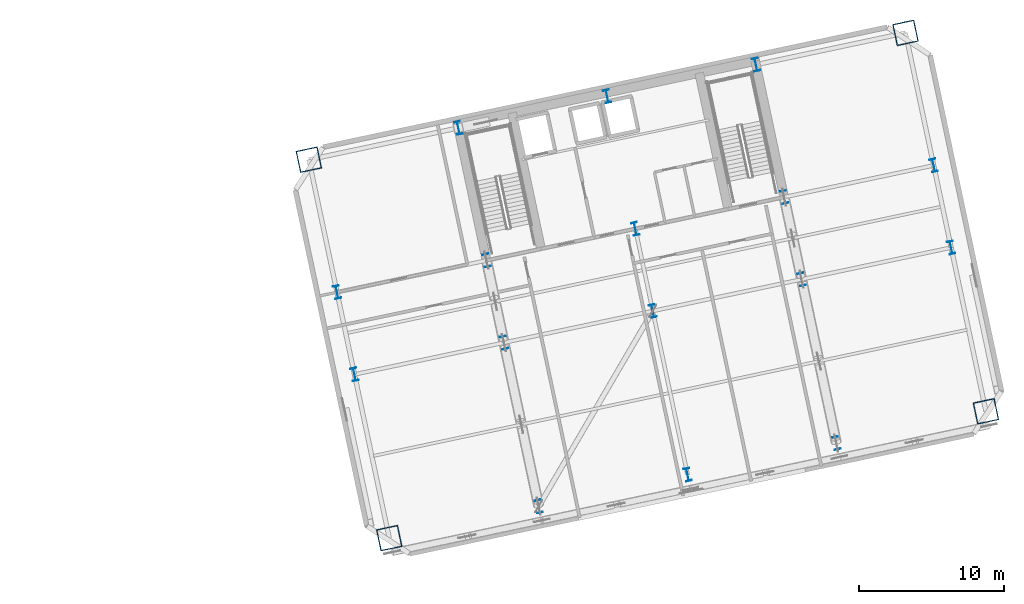
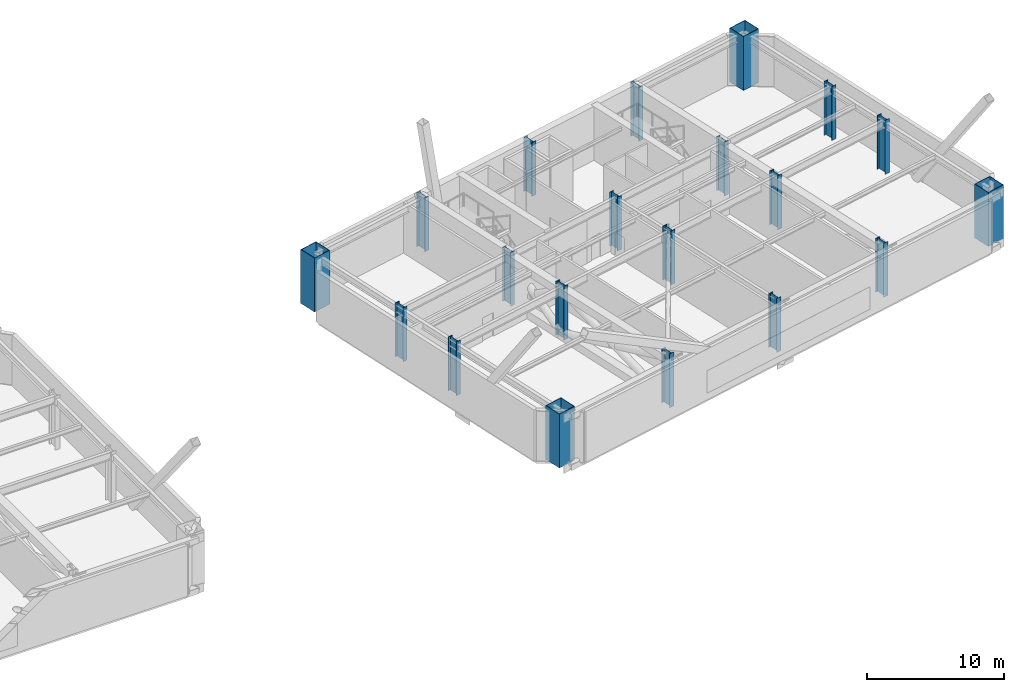
# One storey, part 2 of 17: 20 columns.
"""IFC4 building model written with IfcOpenShell, lengths in metres."""

from ifc_helpers import new_model, si_unit, direction, frame, origin, origin_2d, place, context, subcontext, project, spatial, hollow_rectangle, i_section, extrude, material, material_profile, profile_set, type_object, element, save


model = new_model("IFC4")

# Units and contexts
model_context = context("Model", 3, precision=1e-05, world=origin(), true_north=direction((0.0, 1.0)))
body_context = subcontext(model_context, "Body", "Model", "MODEL_VIEW")
ifc_project = project(units=[si_unit("LENGTHUNIT", "METRE"), si_unit("AREAUNIT", "SQUARE_METRE"), si_unit("VOLUMEUNIT", "CUBIC_METRE"), si_unit("PLANEANGLEUNIT", "RADIAN"), si_unit("MASSUNIT", "GRAM", prefix="KILO")], contexts=[model_context])

# Site, building, storey
site_placement = place(None, origin())
site = spatial("IfcSite", under=ifc_project, at=site_placement, CompositionType="ELEMENT")
building_placement = place(site_placement, origin())
building = spatial("IfcBuilding", under=site, at=building_placement, Name="Haevon Station Towers", CompositionType="ELEMENT")
storey_placement = place(building_placement, frame((0.0, 0.0, 81.89990234375)))
storey = spatial("IfcBuildingStorey", under=building, at=storey_placement, Name="L21", CompositionType="ELEMENT", Elevation=81.89990234375)

# Columns
ifc_material = material(Name="Steel S460", Category="steel")
ifc_material_profile_1 = material_profile(ifc_material, hollow_rectangle(XDim=1.5, YDim=1.5, WallThickness=0.0400390625, at=origin_2d()), Name="BOX-1500x1500x40")
ifc_profile_set_1 = profile_set([ifc_material_profile_1], Name="Steel S460")
column_type_1 = type_object("IfcColumnType", Name="COL-MC2", PredefinedType="COLUMN", material=ifc_profile_set_1)
for number, where, z_axis, x_axis, name in (
    (1, (92.040283203125, 18.278076171875, 0.0), (0.0, 0.0, 1.0), (0.978147600734, 0.207911690818, 0.0), "COL-T2-L21-01-01"),
    (2, (86.489013671875, 44.39453125, 0.0), (0.0, 0.0, 1.0), (0.978147600734, 0.207911690818, 0.0), "COL-T2-L21-01-04"),
    (3, (133.22021484375, 27.03125, 0.0), (0.0, 0.0, 1.0), (0.978147600734, 0.207911690818, 0.0), "COL-T2-L21-05-01"),
    (4, (127.6689453125, 53.147705078125, 0.0), (0.0, 0.0, 1.0), (0.978147600734, 0.207911690818, 0.0), "COL-T2-L21-05-04"),
):
    element("IfcColumn", number, at=place(storey_placement, frame(where, z_axis=z_axis, x_axis=x_axis)), inside=storey, type_object=column_type_1, Name=name, PredefinedType="COLUMN", context=body_context, shape_type="SweptSolid", body=[
        extrude(hollow_rectangle(XDim=1.5, YDim=1.5, WallThickness=0.0400390625, at=origin_2d()), origin(), (0.0, 0.0, 1.0), 4.800048828125),
    ])
ifc_material_profile_2 = material_profile(ifc_material, i_section(OverallWidth=0.39990234375, OverallDepth=0.89990234375, WebThickness=0.02001953125, FlangeThickness=0.035888671875, at=origin_2d()), Name="H-900x400x20x36")
ifc_profile_set_2 = profile_set([ifc_material_profile_2], Name="Steel S460")
column_type_2 = type_object("IfcColumnType", Name="COL-TW1", PredefinedType="COLUMN", material=ifc_profile_set_2)
for number, where, z_axis, x_axis, name in (
    (5, (89.638671875, 29.57568359375, 0.0), (0.0, 0.0, 1.0), (0.978147600734, 0.207911690818, 0.0), "COL-T2-L21-01-02"),
    (6, (88.432861328125, 35.2490234375, 0.0), (0.0, 0.0, 1.0), (0.978147600734, 0.207911690818, 0.0), "COL-T2-L21-01-03"),
    (7, (102.359619140625, 20.471435546875, 0.0), (0.0, 0.0, 1.0), (0.978147600734, 0.207911690818, 0.0), "COL-T2-L21-02-01"),
    (8, (99.958251953125, 31.76904296875, 0.0), (0.0, 0.0, 1.0), (0.978147600734, 0.207911690818, 0.0), "COL-T2-L21-02-02"),
    (9, (98.75244140625, 37.4423828125, 0.0), (0.0, 0.0, 1.0), (0.978147600734, 0.207911690818, 0.0), "COL-T2-L21-02-03"),
    (10, (96.808349609375, 46.588134765625, 0.0), (0.0, 0.0, 1.0), (0.978147600734, 0.207911690818, 0.0), "COL-T2-L21-02-04"),
    (11, (112.630126953125, 22.654541015625, 0.0), (0.0, 0.0, 1.0), (0.978147600734, 0.207911690818, 0.0), "COL-T2-L21-03-01"),
    (12, (110.228759765625, 33.9521484375, 0.0), (0.0, 0.0, 1.0), (0.978147600734, 0.207911690818, 0.0), "COL-T2-L21-03-02"),
    (13, (109.02294921875, 39.62548828125, 0.0), (0.0, 0.0, 1.0), (0.978147600734, 0.207911690818, 0.0), "COL-T2-L21-03-03"),
    (14, (107.078857421875, 48.771240234375, 0.0), (0.0, 0.0, 1.0), (0.978147600734, 0.207911690818, 0.0), "COL-T2-L21-03-04"),
    (15, (122.900634765625, 24.837646484375, 0.0), (0.0, 0.0, 1.0), (0.978147600734, 0.207911690818, 0.0), "COL-T2-L21-04-01"),
    (16, (120.499267578125, 36.13525390625, 0.0), (0.0, 0.0, 1.0), (0.978147600734, 0.207911690818, 0.0), "COL-T2-L21-04-02"),
    (17, (119.29345703125, 41.80859375, 0.0), (0.0, 0.0, 1.0), (0.978147600734, 0.207911690818, 0.0), "COL-T2-L21-04-03"),
    (18, (117.349365234375, 50.954345703125, 0.0), (0.0, 0.0, 1.0), (0.978147600734, 0.207911690818, 0.0), "COL-T2-L21-04-04"),
    (19, (130.81884765625, 38.328857421875, 0.0), (0.0, 0.0, 1.0), (0.978147600734, 0.207911690818, 0.0), "COL-T2-L21-05-02"),
    (20, (129.61279296875, 44.001953125, 0.0), (0.0, 0.0, 1.0), (0.978147600734, 0.207911690818, 0.0), "COL-T2-L21-05-03"),
):
    element("IfcColumn", number, at=place(storey_placement, frame(where, z_axis=z_axis, x_axis=x_axis)), inside=storey, type_object=column_type_2, Name=name, PredefinedType="COLUMN", context=body_context, shape_type="SweptSolid", body=[
        extrude(i_section(OverallWidth=0.39990234375, OverallDepth=0.89990234375, WebThickness=0.02001953125, FlangeThickness=0.035888671875, at=origin_2d()), origin(), (0.0, 0.0, 1.0), 4.800048828125),
    ])

save(model, "model.ifc")
